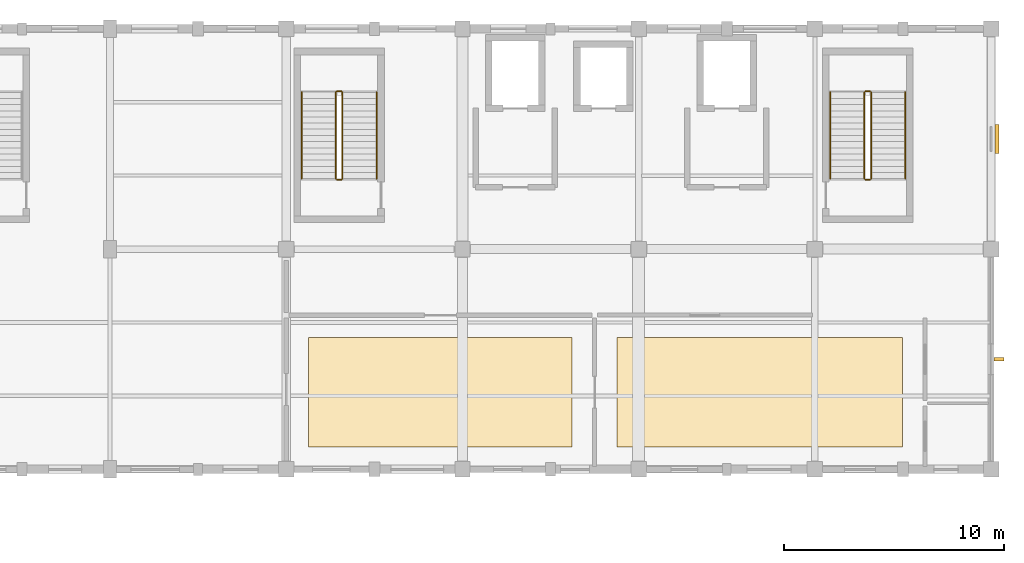
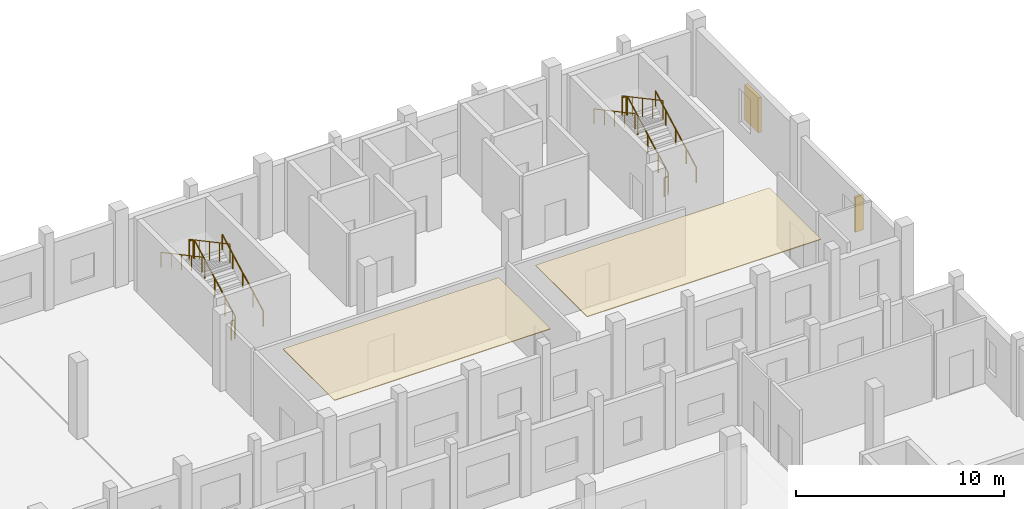
# One storey, part 77 of 77: 12 railings, 2 coverings, 2 shading devices.
"""IFC4 building model written with IfcOpenShell, lengths in metres."""

from ifc_helpers import new_model, si_unit, direction, frame, origin, origin_2d, place, context, subcontext, project, spatial, polyline, rectangle, circle, outline, extrude, material, layer, layer_set, type_object, element, save


model = new_model("IFC4")

# Units and contexts
model_context = context("Model", 3, precision=1e-05, world=origin(), true_north=direction((0.0, 1.0)))
body_context = subcontext(model_context, "Body", "Model", "MODEL_VIEW")
ifc_project = project(units=[si_unit("LENGTHUNIT", "METRE"), si_unit("AREAUNIT", "SQUARE_METRE"), si_unit("VOLUMEUNIT", "CUBIC_METRE"), si_unit("PLANEANGLEUNIT", "RADIAN"), si_unit("MASSUNIT", "GRAM", prefix="KILO")], contexts=[model_context])

# Site, building, storey
site_placement = place(None, origin())
site = spatial("IfcSite", under=ifc_project, at=site_placement, CompositionType="ELEMENT")
building_placement = place(site_placement, origin())
building = spatial("IfcBuilding", under=site, at=building_placement, Name="Luwemba Playhouse", CompositionType="ELEMENT")
storey_placement = place(building_placement, frame((0.0, 0.0, 9.300048828125)))
storey = spatial("IfcBuildingStorey", under=building, at=storey_placement, Name="L02", CompositionType="ELEMENT", Elevation=9.300048828125)

# Coverings
ifc_material_1 = material(Name="Perforated acoustic gypsum and timber baffle ceiling", Category="wood")
ifc_layer = layer(ifc_material_1, 0.044921875)
ifc_layer_set = layer_set([ifc_layer], Name="Perforated acoustic gypsum and timber baffle ceiling")
covering_type = type_object("IfcCoveringType", Name="COV-CEIL-AC", PredefinedType="CEILING", material=ifc_layer_set)
covering_1_placement = place(storey_placement, frame((0.0, 0.0, 4.224853515625)))
element("IfcCovering", 1, at=covering_1_placement, inside=storey, type_object=covering_type, Name="L02 Percussion and Traditional Drum Studio acoustic ceiling cloud", PredefinedType="CEILING", context=body_context, shape_type="SweptSolid", body=[
    extrude(outline(polyline([(141.02001953125, 96.02001953125), (152.97998046875, 96.02001953125), (152.97998046875, 100.97998046875), (141.02001953125, 100.97998046875), (141.02001953125, 96.02001953125)])), origin(), (0.0, 0.0, 1.0), 0.045166015625),
])
covering_2_placement = place(storey_placement, frame((0.0, 0.0, 4.224853515625)))
element("IfcCovering", 2, at=covering_2_placement, inside=storey, type_object=covering_type, Name="L02 Vocal Coaching Suites acoustic ceiling cloud", PredefinedType="CEILING", context=body_context, shape_type="SweptSolid", body=[
    extrude(outline(polyline([(155.02001953125, 96.02001953125), (167.97998046875, 96.02001953125), (167.97998046875, 100.97998046875), (155.02001953125, 100.97998046875), (155.02001953125, 96.02001953125)])), origin(), (0.0, 0.0, 1.0), 0.045166015625),
])

# Railings
ifc_material_2 = material(Name="Painted wrought-iron gallery balustrade", Category="steel")
railing_type_1 = type_object("IfcRailingType", Name="RLG-BAL-INT", PredefinedType="BALUSTRADE", material=ifc_material_2)
railing_1_placement = place(storey_placement, frame((142.550048828125, 108.199951171875, 0.14990234375)))
element("IfcRailing", 3, at=railing_1_placement, inside=storey, type_object=railing_type_1, Name="L02 ST-09 stair guard 1", PredefinedType="BALUSTRADE", context=body_context, shape_type="SweptSolid", body=[
    extrude(circle(Radius=0.02392578125, at=origin_2d()), frame((0.0, 0.0, 1.09619140625), z_axis=(0.0, 0.881479153919, 0.472222935917), x_axis=(-1.0, 0.0, 0.0)), (0.0, 0.0, 1.0), 4.447265625),
    extrude(circle(Radius=0.02099609375, at=origin_2d()), origin(), (0.0, 0.0, 1.0), 1.072021484375),
    extrude(circle(Radius=0.02099609375, at=origin_2d()), frame((0.0, 0.97998046875, 0.52490234375)), (0.0, 0.0, 1.0), 1.072021484375),
    extrude(circle(Radius=0.02099609375, at=origin_2d()), frame((0.0, 1.9599609375, 1.050048828125)), (0.0, 0.0, 1.0), 1.072021484375),
    extrude(circle(Radius=0.02099609375, at=origin_2d()), frame((0.0, 2.940185546875, 1.5751953125)), (0.0, 0.0, 1.0), 1.072021484375),
    extrude(circle(Radius=0.02099609375, at=origin_2d()), frame((0.0, 3.920166015625, 2.10009765625)), (0.0, 0.0, 1.0), 1.072021484375),
])
railing_2_placement = place(storey_placement, frame((142.5, 112.169921875, 2.25)))
element("IfcRailing", 4, at=railing_2_placement, inside=storey, type_object=railing_type_1, Name="L02 ST-09 stair guard 2", PredefinedType="BALUSTRADE", context=body_context, shape_type="SweptSolid", body=[
    extrude(circle(Radius=0.02392578125, at=origin_2d()), frame((0.0, 0.0, 1.09619140625), z_axis=(-1.0, 0.0, 0.0), x_axis=(0.0, -1.0, 0.0)), (0.0, 0.0, 1.0), 0.199951171875),
    extrude(circle(Radius=0.02099609375, at=origin_2d()), origin(), (0.0, 0.0, 1.0), 1.072021484375),
    extrude(circle(Radius=0.02099609375, at=origin_2d()), frame((-0.199951171875, 0.0, 0.0)), (0.0, 0.0, 1.0), 1.072021484375),
])
railing_3_placement = place(storey_placement, frame((142.25, 112.1201171875, 2.39990234375)))
element("IfcRailing", 5, at=railing_3_placement, inside=storey, type_object=railing_type_1, Name="L02 ST-09 stair guard 3", PredefinedType="BALUSTRADE", context=body_context, shape_type="SweptSolid", body=[
    extrude(circle(Radius=0.02392578125, at=origin_2d()), frame((0.0, 0.0, 1.09619140625), z_axis=(0.0, -0.881479153919, 0.472222935917), x_axis=(1.0, 0.0, 0.0)), (0.0, 0.0, 1.0), 4.447265625),
    extrude(circle(Radius=0.02099609375, at=origin_2d()), origin(), (0.0, 0.0, 1.0), 1.072021484375),
    extrude(circle(Radius=0.02099609375, at=origin_2d()), frame((0.0, -0.97998046875, 0.52490234375)), (0.0, 0.0, 1.0), 1.072021484375),
    extrude(circle(Radius=0.02099609375, at=origin_2d()), frame((0.0, -1.9599609375, 1.050048828125)), (0.0, 0.0, 1.0), 1.072021484375),
    extrude(circle(Radius=0.02099609375, at=origin_2d()), frame((0.0, -2.940185546875, 1.5751953125)), (0.0, 0.0, 1.0), 1.072021484375),
    extrude(circle(Radius=0.02099609375, at=origin_2d()), frame((0.0, -3.920166015625, 2.10009765625)), (0.0, 0.0, 1.0), 1.072021484375),
])
railing_4_placement = place(storey_placement, frame((142.5, 108.14990234375, 0.0)))
element("IfcRailing", 6, at=railing_4_placement, inside=storey, type_object=railing_type_1, Name="L02 ST-09 stair guard 4", PredefinedType="BALUSTRADE", context=body_context, shape_type="SweptSolid", body=[
    extrude(circle(Radius=0.02392578125, at=origin_2d()), frame((0.0, 0.0, 1.09619140625), z_axis=(-1.0, 0.0, 0.0), x_axis=(0.0, -1.0, 0.0)), (0.0, 0.0, 1.0), 0.199951171875),
    extrude(circle(Radius=0.02099609375, at=origin_2d()), origin(), (0.0, 0.0, 1.0), 1.072021484375),
    extrude(circle(Radius=0.02099609375, at=origin_2d()), frame((-0.199951171875, 0.0, 0.0)), (0.0, 0.0, 1.0), 1.072021484375),
])
railing_5_placement = place(storey_placement, frame((166.550048828125, 108.199951171875, 0.14990234375)))
element("IfcRailing", 7, at=railing_5_placement, inside=storey, type_object=railing_type_1, Name="L02 ST-10 stair guard 1", PredefinedType="BALUSTRADE", context=body_context, shape_type="SweptSolid", body=[
    extrude(circle(Radius=0.02392578125, at=origin_2d()), frame((0.0, 0.0, 1.09619140625), z_axis=(0.0, 0.881479153919, 0.472222935917), x_axis=(-1.0, 0.0, 0.0)), (0.0, 0.0, 1.0), 4.447265625),
    extrude(circle(Radius=0.02099609375, at=origin_2d()), origin(), (0.0, 0.0, 1.0), 1.072021484375),
    extrude(circle(Radius=0.02099609375, at=origin_2d()), frame((0.0, 0.97998046875, 0.52490234375)), (0.0, 0.0, 1.0), 1.072021484375),
    extrude(circle(Radius=0.02099609375, at=origin_2d()), frame((0.0, 1.9599609375, 1.050048828125)), (0.0, 0.0, 1.0), 1.072021484375),
    extrude(circle(Radius=0.02099609375, at=origin_2d()), frame((0.0, 2.940185546875, 1.5751953125)), (0.0, 0.0, 1.0), 1.072021484375),
    extrude(circle(Radius=0.02099609375, at=origin_2d()), frame((0.0, 3.920166015625, 2.10009765625)), (0.0, 0.0, 1.0), 1.072021484375),
])
railing_6_placement = place(storey_placement, frame((166.5, 112.169921875, 2.25)))
element("IfcRailing", 8, at=railing_6_placement, inside=storey, type_object=railing_type_1, Name="L02 ST-10 stair guard 2", PredefinedType="BALUSTRADE", context=body_context, shape_type="SweptSolid", body=[
    extrude(circle(Radius=0.02392578125, at=origin_2d()), frame((0.0, 0.0, 1.09619140625), z_axis=(-1.0, 0.0, 0.0), x_axis=(0.0, -1.0, 0.0)), (0.0, 0.0, 1.0), 0.199951171875),
    extrude(circle(Radius=0.02099609375, at=origin_2d()), origin(), (0.0, 0.0, 1.0), 1.072021484375),
    extrude(circle(Radius=0.02099609375, at=origin_2d()), frame((-0.199951171875, 0.0, 0.0)), (0.0, 0.0, 1.0), 1.072021484375),
])
railing_7_placement = place(storey_placement, frame((166.25, 112.1201171875, 2.39990234375)))
element("IfcRailing", 9, at=railing_7_placement, inside=storey, type_object=railing_type_1, Name="L02 ST-10 stair guard 3", PredefinedType="BALUSTRADE", context=body_context, shape_type="SweptSolid", body=[
    extrude(circle(Radius=0.02392578125, at=origin_2d()), frame((0.0, 0.0, 1.09619140625), z_axis=(0.0, -0.881479153919, 0.472222935917), x_axis=(1.0, 0.0, 0.0)), (0.0, 0.0, 1.0), 4.447265625),
    extrude(circle(Radius=0.02099609375, at=origin_2d()), origin(), (0.0, 0.0, 1.0), 1.072021484375),
    extrude(circle(Radius=0.02099609375, at=origin_2d()), frame((0.0, -0.97998046875, 0.52490234375)), (0.0, 0.0, 1.0), 1.072021484375),
    extrude(circle(Radius=0.02099609375, at=origin_2d()), frame((0.0, -1.9599609375, 1.050048828125)), (0.0, 0.0, 1.0), 1.072021484375),
    extrude(circle(Radius=0.02099609375, at=origin_2d()), frame((0.0, -2.940185546875, 1.5751953125)), (0.0, 0.0, 1.0), 1.072021484375),
    extrude(circle(Radius=0.02099609375, at=origin_2d()), frame((0.0, -3.920166015625, 2.10009765625)), (0.0, 0.0, 1.0), 1.072021484375),
])
railing_8_placement = place(storey_placement, frame((166.5, 108.14990234375, 0.0)))
element("IfcRailing", 10, at=railing_8_placement, inside=storey, type_object=railing_type_1, Name="L02 ST-10 stair guard 4", PredefinedType="BALUSTRADE", context=body_context, shape_type="SweptSolid", body=[
    extrude(circle(Radius=0.02392578125, at=origin_2d()), frame((0.0, 0.0, 1.09619140625), z_axis=(-1.0, 0.0, 0.0), x_axis=(0.0, -1.0, 0.0)), (0.0, 0.0, 1.0), 0.199951171875),
    extrude(circle(Radius=0.02099609375, at=origin_2d()), origin(), (0.0, 0.0, 1.0), 1.072021484375),
    extrude(circle(Radius=0.02099609375, at=origin_2d()), frame((-0.199951171875, 0.0, 0.0)), (0.0, 0.0, 1.0), 1.072021484375),
])
ifc_material_3 = material(Name="Hardwood and bronze handrail", Category="wood")
railing_type_2 = type_object("IfcRailingType", Name="RLG-HR-INT", PredefinedType="HANDRAIL", material=ifc_material_3)
railing_9_placement = place(storey_placement, frame((144.10009765625, 108.199951171875, 0.14990234375)))
element("IfcRailing", 11, at=railing_9_placement, inside=storey, type_object=railing_type_2, Name="L02 ST-09 stair handrail 1", PredefinedType="HANDRAIL", context=body_context, shape_type="SweptSolid", body=[
    extrude(circle(Radius=0.02392578125, at=origin_2d()), frame((0.0, 0.0, 0.8759765625), z_axis=(0.0, 0.881479153919, 0.472222935917), x_axis=(-1.0, 0.0, 0.0)), (0.0, 0.0, 1.0), 4.447265625),
    extrude(circle(Radius=0.02099609375, at=origin_2d()), origin(), (0.0, 0.0, 1.0), 0.851806640625),
    extrude(circle(Radius=0.02099609375, at=origin_2d()), frame((0.0, 0.97998046875, 0.52490234375)), (0.0, 0.0, 1.0), 0.851806640625),
    extrude(circle(Radius=0.02099609375, at=origin_2d()), frame((0.0, 1.9599609375, 1.050048828125)), (0.0, 0.0, 1.0), 0.851806640625),
    extrude(circle(Radius=0.02099609375, at=origin_2d()), frame((0.0, 2.940185546875, 1.5751953125)), (0.0, 0.0, 1.0), 0.851806640625),
    extrude(circle(Radius=0.02099609375, at=origin_2d()), frame((0.0, 3.920166015625, 2.10009765625)), (0.0, 0.0, 1.0), 0.851806640625),
])
railing_10_placement = place(storey_placement, frame((140.699951171875, 112.1201171875, 2.39990234375)))
element("IfcRailing", 12, at=railing_10_placement, inside=storey, type_object=railing_type_2, Name="L02 ST-09 stair handrail 2", PredefinedType="HANDRAIL", context=body_context, shape_type="SweptSolid", body=[
    extrude(circle(Radius=0.02392578125, at=origin_2d()), frame((0.0, 0.0, 0.8759765625), z_axis=(0.0, -0.881479153919, 0.472222935917), x_axis=(1.0, 0.0, 0.0)), (0.0, 0.0, 1.0), 4.447265625),
    extrude(circle(Radius=0.02099609375, at=origin_2d()), origin(), (0.0, 0.0, 1.0), 0.851806640625),
    extrude(circle(Radius=0.02099609375, at=origin_2d()), frame((0.0, -0.97998046875, 0.52490234375)), (0.0, 0.0, 1.0), 0.851806640625),
    extrude(circle(Radius=0.02099609375, at=origin_2d()), frame((0.0, -1.9599609375, 1.050048828125)), (0.0, 0.0, 1.0), 0.851806640625),
    extrude(circle(Radius=0.02099609375, at=origin_2d()), frame((0.0, -2.940185546875, 1.5751953125)), (0.0, 0.0, 1.0), 0.851806640625),
    extrude(circle(Radius=0.02099609375, at=origin_2d()), frame((0.0, -3.920166015625, 2.10009765625)), (0.0, 0.0, 1.0), 0.851806640625),
])
railing_11_placement = place(storey_placement, frame((168.10009765625, 108.199951171875, 0.14990234375)))
element("IfcRailing", 13, at=railing_11_placement, inside=storey, type_object=railing_type_2, Name="L02 ST-10 stair handrail 1", PredefinedType="HANDRAIL", context=body_context, shape_type="SweptSolid", body=[
    extrude(circle(Radius=0.02392578125, at=origin_2d()), frame((0.0, 0.0, 0.8759765625), z_axis=(0.0, 0.881479153919, 0.472222935917), x_axis=(-1.0, 0.0, 0.0)), (0.0, 0.0, 1.0), 4.447265625),
    extrude(circle(Radius=0.02099609375, at=origin_2d()), origin(), (0.0, 0.0, 1.0), 0.851806640625),
    extrude(circle(Radius=0.02099609375, at=origin_2d()), frame((0.0, 0.97998046875, 0.52490234375)), (0.0, 0.0, 1.0), 0.851806640625),
    extrude(circle(Radius=0.02099609375, at=origin_2d()), frame((0.0, 1.9599609375, 1.050048828125)), (0.0, 0.0, 1.0), 0.851806640625),
    extrude(circle(Radius=0.02099609375, at=origin_2d()), frame((0.0, 2.940185546875, 1.5751953125)), (0.0, 0.0, 1.0), 0.851806640625),
    extrude(circle(Radius=0.02099609375, at=origin_2d()), frame((0.0, 3.920166015625, 2.10009765625)), (0.0, 0.0, 1.0), 0.851806640625),
])
railing_12_placement = place(storey_placement, frame((164.699951171875, 112.1201171875, 2.39990234375)))
element("IfcRailing", 14, at=railing_12_placement, inside=storey, type_object=railing_type_2, Name="L02 ST-10 stair handrail 2", PredefinedType="HANDRAIL", context=body_context, shape_type="SweptSolid", body=[
    extrude(circle(Radius=0.02392578125, at=origin_2d()), frame((0.0, 0.0, 0.8759765625), z_axis=(0.0, -0.881479153919, 0.472222935917), x_axis=(1.0, 0.0, 0.0)), (0.0, 0.0, 1.0), 4.447265625),
    extrude(circle(Radius=0.02099609375, at=origin_2d()), origin(), (0.0, 0.0, 1.0), 0.851806640625),
    extrude(circle(Radius=0.02099609375, at=origin_2d()), frame((0.0, -0.97998046875, 0.52490234375)), (0.0, 0.0, 1.0), 0.851806640625),
    extrude(circle(Radius=0.02099609375, at=origin_2d()), frame((0.0, -1.9599609375, 1.050048828125)), (0.0, 0.0, 1.0), 0.851806640625),
    extrude(circle(Radius=0.02099609375, at=origin_2d()), frame((0.0, -2.940185546875, 1.5751953125)), (0.0, 0.0, 1.0), 0.851806640625),
    extrude(circle(Radius=0.02099609375, at=origin_2d()), frame((0.0, -3.920166015625, 2.10009765625)), (0.0, 0.0, 1.0), 0.851806640625),
])

# Shading devices
ifc_material_4 = material(Name="Extruded terracotta brise-soleil fin on steel bracket", Category="masonry")
shading_device_type_1 = type_object("IfcShadingDeviceType", Name="SHD-BRISE", PredefinedType="USERDEFINED", material=ifc_material_4)
shading_device_1_placement = place(storey_placement, frame((172.360107421875, 100.0, 0.82470703125), z_axis=(0.0, 0.0, 1.0), x_axis=(0.0, -1.0, 0.0)))
element("IfcShadingDevice", 15, at=shading_device_1_placement, inside=storey, type_object=shading_device_type_1, Name="L02 terracotta brise-soleil fin 067", ObjectType="TERRACOTTA BRISE SOLEIL", PredefinedType="USERDEFINED", context=body_context, shape_type="SweptSolid", body=[
    extrude(rectangle(XDim=0.139892578125, YDim=0.449951171875, at=origin_2d()), origin(), (0.0, 0.0, 1.0), 2.050048828125),
])
ifc_material_5 = material(Name="Kiln-fired terracotta gelosia louvre screen", Category="masonry")
shading_device_type_2 = type_object("IfcShadingDeviceType", Name="SHD-GELOSIA", PredefinedType="JALOUSIE", material=ifc_material_5)
shading_device_2_placement = place(storey_placement, frame((172.27490234375, 110.0, 0.9248046875), z_axis=(0.0, 0.0, 1.0), x_axis=(0.0, -1.0, 0.0)))
element("IfcShadingDevice", 16, at=shading_device_2_placement, inside=storey, type_object=shading_device_type_2, Name="L02 fired-clay gelosia screen 066", PredefinedType="JALOUSIE", context=body_context, shape_type="SweptSolid", body=[
    extrude(rectangle(XDim=1.300048828125, YDim=0.179931640625, at=origin_2d()), origin(), (0.0, 0.0, 1.0), 2.050048828125),
])

save(model, "model.ifc")
